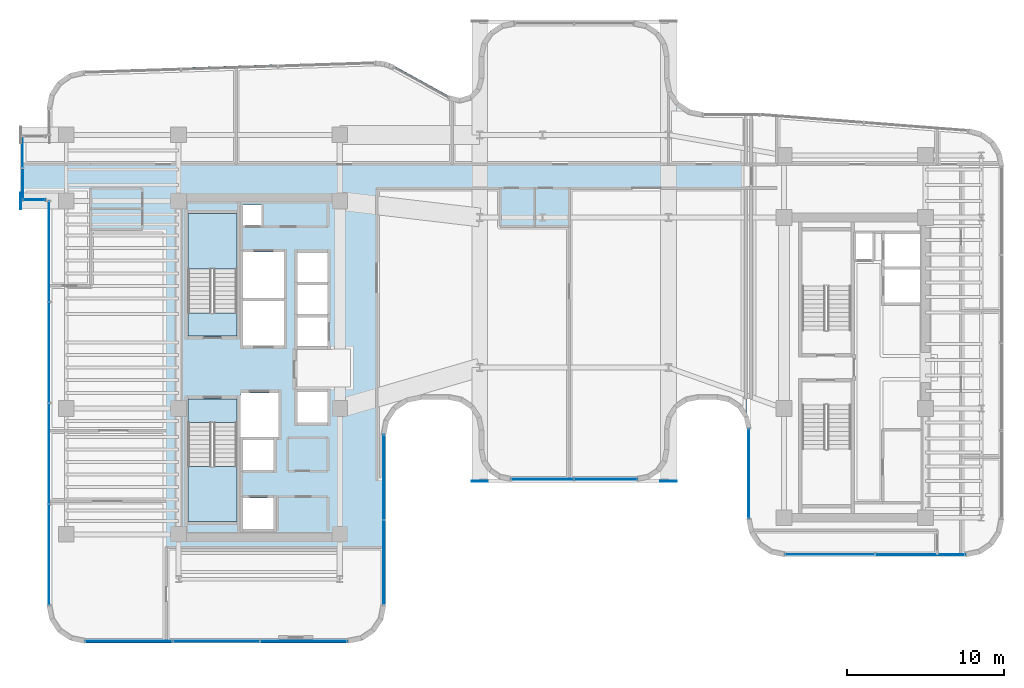
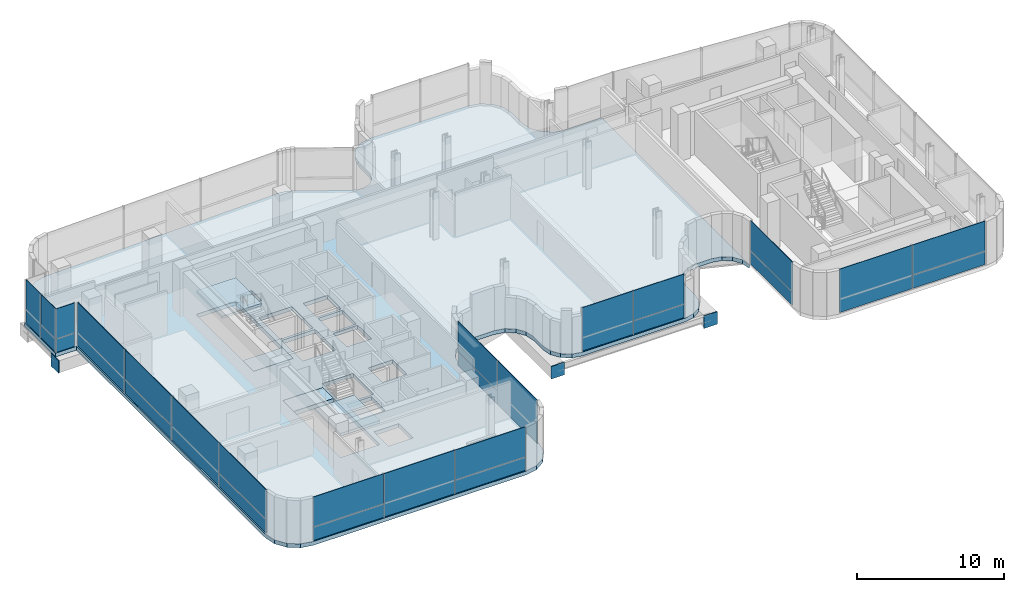
# One storey, part 25 of 37: 30 plates, 5 slabs, 10 elements without a shape of their own.
"""IFC4 building model written with IfcOpenShell, lengths in metres."""

from ifc_helpers import new_model, si_unit, direction, frame, origin, origin_2d, place, context, subcontext, project, spatial, polyline, rectangle, outline, extrude, source, transform, mapped, material, layer, layer_set, type_object, element, aggregate, save


model = new_model("IFC4")

# Units and contexts
model_context = context("Model", 3, precision=1e-05, world=origin(), true_north=direction((0.0, 1.0)))
body_context = subcontext(model_context, "Body", "Model", "MODEL_VIEW")
ifc_project = project(units=[si_unit("LENGTHUNIT", "METRE"), si_unit("AREAUNIT", "SQUARE_METRE"), si_unit("VOLUMEUNIT", "CUBIC_METRE"), si_unit("PLANEANGLEUNIT", "RADIAN"), si_unit("MASSUNIT", "GRAM", prefix="KILO")], contexts=[model_context])

# Site, building, storey
site_placement = place(None, origin())
site = spatial("IfcSite", under=ifc_project, at=site_placement, CompositionType="ELEMENT")
building_placement = place(site_placement, origin())
building = spatial("IfcBuilding", under=site, at=building_placement, Name="Valdorenza Pilgrim Sanctuary Tower", CompositionType="ELEMENT")
storey_placement = place(building_placement, frame((0.0, 0.0, 188.39990234375)))
storey = spatial("IfcBuildingStorey", under=building, at=storey_placement, Name="L48", CompositionType="ELEMENT", Elevation=188.39990234375)

# Slab
ifc_material_1 = material(Name="Concrete C40/50", Category="concrete")
ifc_layer_1 = layer(ifc_material_1, 0.320068359375, Name="Concrete C40/50")
ifc_layer_set_1 = layer_set([ifc_layer_1], Name="Concrete C40/50")
slab_type_1 = type_object("IfcSlabType", Name="SLAB-PRY-320", PredefinedType="FLOOR", material=ifc_layer_set_1)
slab_1_placement = place(storey_placement, frame((0.0, 0.0, -0.31982421875)))
element("IfcSlab", 1, at=slab_1_placement, inside=storey, type_object=slab_type_1, Name="L48 Structural Floor Slab 1", PredefinedType="FLOOR", context=body_context, shape_type="SweptSolid", body=[
    extrude(outline(polyline([(-30.324462890625, 18.14599609375), (-29.572265625, 18.671142578125), (-28.677978515625, 18.87548828125), (-10.157958984375, 19.478515625), (-9.837158203125, 19.467529296875), (-9.520751953125, 19.413818359375), (-9.214111328125, 19.318359375), (-8.923095703125, 19.182861328125), (-5.43115234375, 17.26220703125), (-4.782958984375, 17.10107421875), (-4.139892578125, 17.2822265625), (-3.671142578125, 17.75830078125), (-3.5, 18.404052734375), (-3.5, 19.7958984375), (-3.332275390625, 20.639404296875), (-2.8544921875, 21.3544921875), (-2.139404296875, 21.832275390625), (-1.2958984375, 22.0), (6.2958984375, 22.0), (7.139404296875, 21.832275390625), (7.8544921875, 21.3544921875), (8.332275390625, 20.639404296875), (8.5, 19.7958984375), (8.5, 18.404052734375), (8.667724609375, 17.560546875), (9.1455078125, 16.845458984375), (9.860595703125, 16.367919921875), (10.7041015625, 16.199951171875), (13.5, 16.199951171875), (13.5, -3.89990234375), (13.35546875, -3.1728515625), (12.943603515625, -2.556396484375), (12.3271484375, -2.14453125), (11.60009765625, -2.0), (10.39990234375, -2.0), (9.6728515625, -2.14453125), (9.056396484375, -2.556396484375), (8.64453125, -3.1728515625), (8.5, -3.89990234375), (8.5, -5.22412109375), (8.349609375, -5.980224609375), (7.921142578125, -6.62109375), (7.2802734375, -7.049560546875), (6.52392578125, -7.199951171875), (-1.52392578125, -7.199951171875), (-2.2802734375, -7.049560546875), (-2.921142578125, -6.62109375), (-3.349609375, -5.980224609375), (-3.5, -5.22412109375), (-3.5, -3.97607421875), (-3.650390625, -3.2197265625), (-4.078857421875, -2.578857421875), (-4.7197265625, -2.150390625), (-5.47607421875, -2.0), (-7.219970703125, -2.0), (-8.092529296875, -2.173583984375), (-8.832275390625, -2.667724609375), (-9.326416015625, -3.407470703125), (-9.5, -4.280029296875), (-9.5, -15.10009765625), (-9.6826171875, -16.018310546875), (-10.202880859375, -16.797119140625), (-10.981689453125, -17.3173828125), (-11.89990234375, -17.5), (-28.60009765625, -17.5), (-29.518310546875, -17.3173828125), (-30.297119140625, -16.797119140625), (-30.8173828125, -16.018310546875), (-31.0, -15.10009765625), (-31.0, 10.60009765625), (-32.64990234375, 10.60009765625), (-32.64990234375, 14.800048828125), (-31.0, 14.800048828125), (-31.0, 16.476806640625), (-30.82470703125, 17.377197265625), (-30.324462890625, 18.14599609375)]), holes=[polyline([(-16.60009765625, -10.25), (-16.60009765625, -8.300048828125), (-18.550048828125, -8.300048828125), (-18.550048828125, -10.25), (-16.60009765625, -10.25)]), polyline([(-22.050048828125, -9.800048828125), (-18.93994140625, -9.800048828125), (-18.93994140625, -3.485107421875), (-18.93994140625, -2.0), (-22.050048828125, -2.0), (-22.050048828125, -3.485107421875), (-22.050048828125, -9.800048828125)]), polyline([(-16.60009765625, -6.5), (-16.60009765625, -4.60009765625), (-18.550048828125, -4.60009765625), (-18.550048828125, -6.5), (-16.60009765625, -6.5)]), polyline([(-18.719970703125, -4.39990234375), (-16.300048828125, -4.39990234375), (-16.300048828125, -1.60009765625), (-18.719970703125, -1.60009765625), (-18.719970703125, -4.39990234375)]), polyline([(-13.179931640625, 1.35009765625), (-13.179931640625, 3.199951171875), (-15.10009765625, 3.199951171875), (-15.10009765625, 1.35009765625), (-13.179931640625, 1.35009765625)]), polyline([(-22.050048828125, 2.0), (-18.93994140625, 2.0), (-18.93994140625, 3.485107421875), (-18.93994140625, 9.800048828125), (-22.050048828125, 9.800048828125), (-22.050048828125, 3.485107421875), (-22.050048828125, 2.0)]), polyline([(-15.949951171875, 1.39990234375), (-15.949951171875, 4.22509765625), (-18.550048828125, 4.22509765625), (-18.550048828125, 1.39990234375), (-15.949951171875, 1.39990234375)]), polyline([(-18.550048828125, 4.425048828125), (-15.949951171875, 4.425048828125), (-15.949951171875, 7.35009765625), (-18.550048828125, 7.35009765625), (-18.550048828125, 4.425048828125)]), polyline([(-17.360107421875, 9.030029296875), (-17.360107421875, 10.35009765625), (-18.570068359375, 10.35009765625), (-18.570068359375, 9.030029296875), (-17.360107421875, 9.030029296875)]), polyline([(-13.179931640625, -3.5), (-13.179931640625, -1.550048828125), (-15.10009765625, -1.550048828125), (-15.10009765625, -3.5), (-13.179931640625, -3.5)]), polyline([(-13.179931640625, 3.39990234375), (-13.179931640625, 5.25), (-15.10009765625, 5.25), (-15.10009765625, 3.39990234375), (-13.179931640625, 3.39990234375)]), polyline([(-13.179931640625, 5.449951171875), (-13.179931640625, 7.300048828125), (-15.10009765625, 7.300048828125), (-15.10009765625, 5.449951171875), (-13.179931640625, 5.449951171875)])]), origin(), (0.0, 0.0, 1.0), 0.31982421875),
])

# Stair, slab
stair_type = type_object("IfcStairType", Name="STR-DOG-CORE", PredefinedType="HALF_TURN_STAIR", material=ifc_material_1)
stair_1_placement = place(storey_placement, origin())
stair_1 = element("IfcStair", 2, at=stair_1_placement, inside=storey, type_object=stair_type, Name="L48 ST-A1", PredefinedType="HALF_TURN_STAIR")
ifc_layer_2 = layer(ifc_material_1, 0.199951171875, Name="Concrete C40/50")
ifc_layer_set_2 = layer_set([ifc_layer_2], Name="Concrete C40/50")
slab_type_2 = type_object("IfcSlabType", Name="SLAB-STL-200", PredefinedType="LANDING", material=ifc_layer_set_2)
slab_2_placement = place(storey_placement, frame((0.0, 0.0, 1.775146484375)))
slab_2 = element("IfcSlab", 3, at=slab_2_placement, type_object=slab_type_2, Name="ST-A1 landing 1", PredefinedType="LANDING", context=body_context, shape_type="SweptSolid", body=[
    extrude(outline(polyline([(-18.93994140625, 6.280029296875), (-18.93994140625, 9.800048828125), (-22.050048828125, 9.800048828125), (-22.050048828125, 6.280029296875), (-18.93994140625, 6.280029296875)])), origin(), (0.0, 0.0, 1.0), 0.199951171875),
])
aggregate(stair_1, [slab_2])

stair_2_placement = place(storey_placement, origin())
stair_2 = element("IfcStair", 4, at=stair_2_placement, inside=storey, type_object=stair_type, Name="L48 ST-A2", PredefinedType="HALF_TURN_STAIR")
slab_3_placement = place(storey_placement, frame((0.0, 0.0, 1.775146484375)))
slab_3 = element("IfcSlab", 5, at=slab_3_placement, type_object=slab_type_2, Name="ST-A2 landing 1", PredefinedType="LANDING", context=body_context, shape_type="SweptSolid", body=[
    extrude(outline(polyline([(-22.050048828125, -6.280029296875), (-22.050048828125, -9.800048828125), (-18.93994140625, -9.800048828125), (-18.93994140625, -6.280029296875), (-22.050048828125, -6.280029296875)])), origin(), (0.0, 0.0, 1.0), 0.199951171875),
])
aggregate(stair_2, [slab_3])

# Slabs
ifc_material_2 = material(Name="Concrete C50/60", Category="concrete")
ifc_layer_3 = layer(ifc_material_2, 0.39990234375, Name="Concrete C50/60")
ifc_layer_set_3 = layer_set([ifc_layer_3], Name="Concrete C50/60")
slab_type_3 = type_object("IfcSlabType", Name="SLAB-TRF-400", PredefinedType="FLOOR", material=ifc_layer_set_3)
slab_4_placement = place(storey_placement, frame((0.0, 0.0, -0.35986328125)))
element("IfcSlab", 6, at=slab_4_placement, inside=storey, type_object=slab_type_3, Name="L48 ST-A1 Structural Stair Landing Bearing Slab", PredefinedType="FLOOR", context=body_context, shape_type="SweptSolid", body=[
    extrude(outline(polyline([(-22.050048828125, 2.0), (-18.93994140625, 2.0), (-18.93994140625, 3.485107421875), (-22.050048828125, 3.485107421875), (-22.050048828125, 2.0)])), origin(), (0.0, 0.0, 1.0), 0.35986328125),
])
slab_5_placement = place(storey_placement, frame((0.0, 0.0, -0.35986328125)))
element("IfcSlab", 7, at=slab_5_placement, inside=storey, type_object=slab_type_3, Name="L48 ST-A2 Structural Stair Landing Bearing Slab", PredefinedType="FLOOR", context=body_context, shape_type="SweptSolid", body=[
    extrude(outline(polyline([(-22.050048828125, -3.485107421875), (-18.93994140625, -3.485107421875), (-18.93994140625, -2.0), (-22.050048828125, -2.0), (-22.050048828125, -3.485107421875)])), origin(), (0.0, 0.0, 1.0), 0.35986328125),
])

# Plates
ifc_material_3 = material(Name="Steel ASTM A572 Grade 42", Category="steel")
ifc_layer_4 = layer(ifc_material_3, 0.06005859375, Name="Steel ASTM A572 Grade 42")
ifc_layer_set_4 = layer_set([ifc_layer_4], Name="Steel ASTM A572 Grade 42")
plate_type_1 = type_object("IfcPlateType", Name="PLT-CAP-60", PredefinedType="SHEET", material=ifc_layer_set_4)
shared_shape_1 = source(origin(), body_context, "Body", "SweptSolid", [
    extrude(rectangle(XDim=0.06005859375, YDim=1.0400390625, at=origin_2d()), origin(), (0.0, 0.0, 1.0), 1.0400390625),
])
plate_1_placement = place(storey_placement, frame((-32.679931640625, 10.60009765625, -1.33984375), z_axis=(0.0, 0.0, 1.0), x_axis=(1.0, 0.0, 0.0)))
element("IfcPlate", 8, at=plate_1_placement, inside=storey, type_object=plate_type_1, Name="L48 BOX-WA-L48 Cantilever Tip End Cap S", PredefinedType="SHEET", context=body_context, shape_type="MappedRepresentation", body=[
    mapped(shared_shape_1, transform((0.0, 0.0, 0.0), x_axis=(1.0, 0.0, 0.0), y_axis=(0.0, 1.0, 0.0), z_axis=(0.0, 0.0, 1.0), scale=1.0)),
])
shared_shape_2 = source(origin(), body_context, "Body", "SweptSolid", [
    extrude(rectangle(XDim=1.0400390625, YDim=0.06005859375, at=origin_2d()), origin(), (0.0, 0.0, 1.0), 1.0400390625),
])
for number, where, z_axis, x_axis, name in (
    (9, (-3.5, -7.22998046875, -1.33984375), (0.0, 0.0, 1.0), (1.0, 0.0, 0.0), "L48 South Prow Cantilever End Cap W"),
    (10, (8.5, -7.22998046875, -1.33984375), (0.0, 0.0, 1.0), (1.0, 0.0, 0.0), "L48 South Prow Cantilever End Cap E"),
):
    element("IfcPlate", number, at=place(storey_placement, frame(where, z_axis=z_axis, x_axis=x_axis)), inside=storey, type_object=plate_type_1, Name=name, PredefinedType="SHEET", context=body_context, shape_type="MappedRepresentation", body=[
        mapped(shared_shape_2, transform((0.0, 0.0, 0.0), x_axis=(1.0, 0.0, 0.0), y_axis=(0.0, 1.0, 0.0), z_axis=(0.0, 0.0, 1.0), scale=1.0)),
    ])

# Curtain wall, plate
ifc_material_4 = material(Name="Curtain-wall IGU glazing", Category="glass")
curtain_wall_type_1 = type_object("IfcCurtainWallType", Name="CW-SYS-05", PredefinedType="NOTDEFINED", material=ifc_material_4)
curtain_wall_1_placement = place(storey_placement, origin())
curtain_wall_1 = element("IfcCurtainWall", 11, at=curtain_wall_1_placement, inside=storey, type_object=curtain_wall_type_1, Name="L48 Curtain Wall CW-L48-1-47", PredefinedType="NOTDEFINED")
ifc_material_5 = material(Name="Honed travertine limestone", Category="masonry")
ifc_layer_5 = layer(ifc_material_5, 0.050048828125, Name="Honed travertine limestone")
ifc_layer_set_5 = layer_set([ifc_layer_5], Name="Honed travertine limestone")
plate_type_2 = type_object("IfcPlateType", Name="CW-SPN-TRV", PredefinedType="USERDEFINED", material=ifc_layer_set_5)
shared_shape_3 = source(origin(), body_context, "Body", "SweptSolid", [
    extrude(rectangle(XDim=5.679931640625, YDim=0.06005859375, at=origin_2d()), origin(), (0.0, 0.0, 1.0), 1.10009765625),
])
plate_2_placement = place(storey_placement, frame((13.610107421875, -6.7392578125, 0.010009765625), z_axis=(0.0, 0.0, 1.0), x_axis=(0.0, 1.0, 0.0)))
plate_2 = element("IfcPlate", 12, at=plate_2_placement, type_object=plate_type_2, Name="CW-L48-1-47 Travertine Spandrel 1", ObjectType="SPANDREL", PredefinedType="USERDEFINED", context=body_context, shape_type="MappedRepresentation", body=[
    mapped(shared_shape_3, transform((0.0, 0.0, 0.0), x_axis=(1.0, 0.0, 0.0), y_axis=(0.0, 1.0, 0.0), z_axis=(0.0, 0.0, 1.0), scale=1.0)),
])

curtain_wall_type_2 = type_object("IfcCurtainWallType", Name="CW-SYS-02", PredefinedType="NOTDEFINED", material=ifc_material_4)
curtain_wall_2_placement = place(storey_placement, origin())
curtain_wall_2 = element("IfcCurtainWall", 13, at=curtain_wall_2_placement, inside=storey, type_object=curtain_wall_type_2, Name="L48 Curtain Wall CW-L48-BOX-WA-L48-S", PredefinedType="NOTDEFINED")
shared_shape_4 = source(origin(), body_context, "Body", "SweptSolid", [
    extrude(rectangle(XDim=1.43994140625, YDim=0.06005859375, at=origin_2d()), origin(), (0.0, 0.0, 1.0), 1.10009765625),
])
plate_3_placement = place(storey_placement, frame((-31.840087890625, 10.679931640625, 0.010009765625), z_axis=(0.0, 0.0, 1.0), x_axis=(-1.0, 0.0, 0.0)))
plate_3 = element("IfcPlate", 14, at=plate_3_placement, type_object=plate_type_2, Name="CW-L48-BOX-WA-L48-S Travertine Spandrel 1", ObjectType="SPANDREL", PredefinedType="USERDEFINED", context=body_context, shape_type="MappedRepresentation", body=[
    mapped(shared_shape_4, transform((0.0, 0.0, 0.0), x_axis=(1.0, 0.0, 0.0), y_axis=(0.0, 1.0, 0.0), z_axis=(0.0, 0.0, 1.0), scale=1.0)),
])

curtain_wall_3_placement = place(storey_placement, origin())
curtain_wall_3 = element("IfcCurtainWall", 15, at=curtain_wall_3_placement, inside=storey, type_object=curtain_wall_type_2, Name="L48 Curtain Wall CW-L48-BOX-WA-L48-F", PredefinedType="NOTDEFINED")
shared_shape_5 = source(origin(), body_context, "Body", "SweptSolid", [
    extrude(rectangle(XDim=2.0, YDim=0.06005859375, at=origin_2d()), origin(), (0.0, 0.0, 1.0), 1.10009765625),
])
plate_4_placement = place(storey_placement, frame((-32.570068359375, 11.68994140625, 0.010009765625), z_axis=(0.0, 0.0, 1.0), x_axis=(0.0, 1.0, 0.0)))
plate_4 = element("IfcPlate", 16, at=plate_4_placement, type_object=plate_type_2, Name="CW-L48-BOX-WA-L48-F Travertine Spandrel 1", ObjectType="SPANDREL", PredefinedType="USERDEFINED", context=body_context, shape_type="MappedRepresentation", body=[
    mapped(shared_shape_5, transform((0.0, 0.0, 0.0), x_axis=(1.0, 0.0, 0.0), y_axis=(0.0, 1.0, 0.0), z_axis=(0.0, 0.0, 1.0), scale=1.0)),
])

curtain_wall_type_3 = type_object("IfcCurtainWallType", Name="CW-SYS-03", PredefinedType="NOTDEFINED", material=ifc_material_4)
curtain_wall_4_placement = place(storey_placement, origin())
curtain_wall_4 = element("IfcCurtainWall", 17, at=curtain_wall_4_placement, inside=storey, type_object=curtain_wall_type_3, Name="L48 Curtain Wall CW-L48-1-42", PredefinedType="NOTDEFINED")
shared_shape_6 = source(origin(), body_context, "Body", "SweptSolid", [
    extrude(rectangle(XDim=5.71923828125, YDim=0.06005859375, at=origin_2d()), origin(), (0.0, 0.0, 1.0), 1.10009765625),
])
plate_5_placement = place(storey_placement, frame((24.51953125, -11.889892578125, 0.010009765625), z_axis=(0.0, 0.0, 1.0), x_axis=(-1.0, 0.0, 0.0)))
plate_5 = element("IfcPlate", 18, at=plate_5_placement, type_object=plate_type_2, Name="CW-L48-1-42 Travertine Spandrel 1", ObjectType="SPANDREL", PredefinedType="USERDEFINED", context=body_context, shape_type="MappedRepresentation", body=[
    mapped(shared_shape_6, transform((0.0, 0.0, 0.0), x_axis=(1.0, 0.0, 0.0), y_axis=(0.0, 1.0, 0.0), z_axis=(0.0, 0.0, 1.0), scale=1.0)),
])

curtain_wall_5_placement = place(storey_placement, origin())
curtain_wall_5 = element("IfcCurtainWall", 19, at=curtain_wall_5_placement, inside=storey, type_object=curtain_wall_type_1, Name="L48 Curtain Wall CW-L48-1-62", PredefinedType="NOTDEFINED")
shared_shape_7 = source(origin(), body_context, "Body", "SweptSolid", [
    extrude(rectangle(XDim=3.9931640625, YDim=0.06005859375, at=origin_2d()), origin(), (0.0, 0.0, 1.0), 1.10009765625),
])
plate_6_placement = place(storey_placement, frame((4.506591796875, -7.090087890625, 0.010009765625), z_axis=(0.0, 0.0, 1.0), x_axis=(-1.0, 0.0, 0.0)))
plate_6 = element("IfcPlate", 20, at=plate_6_placement, type_object=plate_type_2, Name="CW-L48-1-62 Travertine Spandrel 1", ObjectType="SPANDREL", PredefinedType="USERDEFINED", context=body_context, shape_type="MappedRepresentation", body=[
    mapped(shared_shape_7, transform((0.0, 0.0, 0.0), x_axis=(1.0, 0.0, 0.0), y_axis=(0.0, 1.0, 0.0), z_axis=(0.0, 0.0, 1.0), scale=1.0)),
])

curtain_wall_6_placement = place(storey_placement, origin())
curtain_wall_6 = element("IfcCurtainWall", 21, at=curtain_wall_6_placement, inside=storey, type_object=curtain_wall_type_1, Name="L48 Curtain Wall CW-L48-1-77", PredefinedType="NOTDEFINED")
shared_shape_8 = source(origin(), body_context, "Body", "SweptSolid", [
    extrude(rectangle(XDim=5.389892578125, YDim=0.06005859375, at=origin_2d()), origin(), (0.0, 0.0, 1.0), 1.10009765625),
])
plate_7_placement = place(storey_placement, frame((-9.610107421875, -6.97412109375, 0.010009765625), z_axis=(0.0, 0.0, 1.0), x_axis=(0.0, -1.0, 0.0)))
plate_7 = element("IfcPlate", 22, at=plate_7_placement, type_object=plate_type_2, Name="CW-L48-1-77 Travertine Spandrel 1", ObjectType="SPANDREL", PredefinedType="USERDEFINED", context=body_context, shape_type="MappedRepresentation", body=[
    mapped(shared_shape_8, transform((0.0, 0.0, 0.0), x_axis=(1.0, 0.0, 0.0), y_axis=(0.0, 1.0, 0.0), z_axis=(0.0, 0.0, 1.0), scale=1.0)),
])

# Curtain wall, plates
curtain_wall_7_placement = place(storey_placement, origin())
curtain_wall_7 = element("IfcCurtainWall", 23, at=curtain_wall_7_placement, inside=storey, type_object=curtain_wall_type_2, Name="L48 Curtain Wall CW-L48-1-82", PredefinedType="NOTDEFINED")
shared_shape_9 = source(origin(), body_context, "Body", "SweptSolid", [
    extrude(rectangle(XDim=5.53955078125, YDim=0.06005859375, at=origin_2d()), origin(), (0.0, 0.0, 1.0), 1.10009765625),
])
plate_8_placement = place(storey_placement, frame((-14.6904296875, -17.389892578125, 0.010009765625), z_axis=(0.0, 0.0, 1.0), x_axis=(-1.0, 0.0, 0.0)))
plate_8 = element("IfcPlate", 24, at=plate_8_placement, type_object=plate_type_2, Name="CW-L48-1-82 Travertine Spandrel 1", ObjectType="SPANDREL", PredefinedType="USERDEFINED", context=body_context, shape_type="MappedRepresentation", body=[
    mapped(shared_shape_9, transform((0.0, 0.0, 0.0), x_axis=(1.0, 0.0, 0.0), y_axis=(0.0, 1.0, 0.0), z_axis=(0.0, 0.0, 1.0), scale=1.0)),
])
plate_9_placement = place(storey_placement, frame((-25.8095703125, -17.389892578125, 0.010009765625), z_axis=(0.0, 0.0, 1.0), x_axis=(-1.0, 0.0, 0.0)))
plate_9 = element("IfcPlate", 25, at=plate_9_placement, type_object=plate_type_2, Name="CW-L48-1-82 Travertine Spandrel 3", ObjectType="SPANDREL", PredefinedType="USERDEFINED", context=body_context, shape_type="MappedRepresentation", body=[
    mapped(shared_shape_9, transform((0.0, 0.0, 0.0), x_axis=(1.0, 0.0, 0.0), y_axis=(0.0, 1.0, 0.0), z_axis=(0.0, 0.0, 1.0), scale=1.0)),
])

# Plate
ifc_material_6 = material(Name="Ceramic-fritted low-E IGU glazing", Category="glass")
ifc_layer_6 = layer(ifc_material_6, 0.035888671875, Name="Ceramic-fritted low-E IGU glazing")
ifc_layer_set_6 = layer_set([ifc_layer_6], Name="Ceramic-fritted low-E IGU glazing")
plate_type_3 = type_object("IfcPlateType", Name="CW-GLZ-IGU", PredefinedType="USERDEFINED", material=ifc_layer_set_6)
shared_shape_10 = source(origin(), body_context, "Body", "SweptSolid", [
    extrude(rectangle(XDim=5.71923828125, YDim=0.050048828125, at=origin_2d()), origin(), (0.0, 0.0, 1.0), 2.489990234375),
])
plate_10_placement = place(storey_placement, frame((24.51953125, -11.889892578125, 1.1298828125), z_axis=(0.0, 0.0, 1.0), x_axis=(-1.0, 0.0, 0.0)))
plate_10 = element("IfcPlate", 26, at=plate_10_placement, type_object=plate_type_3, Name="CW-L48-1-42 Facade Panel 1", ObjectType="GLAZING", PredefinedType="USERDEFINED", context=body_context, shape_type="MappedRepresentation", body=[
    mapped(shared_shape_10, transform((0.0, 0.0, 0.0), x_axis=(1.0, 0.0, 0.0), y_axis=(0.0, 1.0, 0.0), z_axis=(0.0, 0.0, 1.0), scale=1.0)),
])

shared_shape_11 = source(origin(), body_context, "Body", "SweptSolid", [
    extrude(rectangle(XDim=5.71923828125, YDim=0.050048828125, at=origin_2d()), origin(), (0.0, 0.0, 1.0), 3.610107421875),
])
plate_11_placement = place(storey_placement, frame((18.780517578125, -11.889892578125, 0.01025390625), z_axis=(0.0, 0.0, 1.0), x_axis=(-1.0, 0.0, 0.0)))
plate_11 = element("IfcPlate", 27, at=plate_11_placement, type_object=plate_type_3, Name="CW-L48-1-42 Full-Height Facade Panel 2", ObjectType="GLAZING", PredefinedType="USERDEFINED", context=body_context, shape_type="MappedRepresentation", body=[
    mapped(shared_shape_11, transform((0.0, 0.0, 0.0), x_axis=(1.0, 0.0, 0.0), y_axis=(0.0, 1.0, 0.0), z_axis=(0.0, 0.0, 1.0), scale=1.0)),
])

aggregate(curtain_wall_4, [plate_5, plate_10, plate_11])

shared_shape_12 = source(origin(), body_context, "Body", "SweptSolid", [
    extrude(rectangle(XDim=5.679931640625, YDim=0.050048828125, at=origin_2d()), origin(), (0.0, 0.0, 1.0), 2.489990234375),
])
plate_12_placement = place(storey_placement, frame((13.610107421875, -6.7392578125, 1.1298828125), z_axis=(0.0, 0.0, 1.0), x_axis=(0.0, 1.0, 0.0)))
plate_12 = element("IfcPlate", 28, at=plate_12_placement, type_object=plate_type_3, Name="CW-L48-1-47 Facade Panel 1", ObjectType="GLAZING", PredefinedType="USERDEFINED", context=body_context, shape_type="MappedRepresentation", body=[
    mapped(shared_shape_12, transform((0.0, 0.0, 0.0), x_axis=(1.0, 0.0, 0.0), y_axis=(0.0, 1.0, 0.0), z_axis=(0.0, 0.0, 1.0), scale=1.0)),
])

aggregate(curtain_wall_1, [plate_2, plate_12])

shared_shape_13 = source(origin(), body_context, "Body", "SweptSolid", [
    extrude(rectangle(XDim=3.9931640625, YDim=0.050048828125, at=origin_2d()), origin(), (0.0, 0.0, 1.0), 2.489990234375),
])
plate_13_placement = place(storey_placement, frame((4.506591796875, -7.090087890625, 1.1298828125), z_axis=(0.0, 0.0, 1.0), x_axis=(-1.0, 0.0, 0.0)))
plate_13 = element("IfcPlate", 29, at=plate_13_placement, type_object=plate_type_3, Name="CW-L48-1-62 Facade Panel 1", ObjectType="GLAZING", PredefinedType="USERDEFINED", context=body_context, shape_type="MappedRepresentation", body=[
    mapped(shared_shape_13, transform((0.0, 0.0, 0.0), x_axis=(1.0, 0.0, 0.0), y_axis=(0.0, 1.0, 0.0), z_axis=(0.0, 0.0, 1.0), scale=1.0)),
])

shared_shape_14 = source(origin(), body_context, "Body", "SweptSolid", [
    extrude(rectangle(XDim=3.9931640625, YDim=0.050048828125, at=origin_2d()), origin(), (0.0, 0.0, 1.0), 3.610107421875),
])
plate_14_placement = place(storey_placement, frame((0.493408203125, -7.090087890625, 0.01025390625), z_axis=(0.0, 0.0, 1.0), x_axis=(-1.0, 0.0, 0.0)))
plate_14 = element("IfcPlate", 30, at=plate_14_placement, type_object=plate_type_3, Name="CW-L48-1-62 Full-Height Facade Panel 2", ObjectType="GLAZING", PredefinedType="USERDEFINED", context=body_context, shape_type="MappedRepresentation", body=[
    mapped(shared_shape_14, transform((0.0, 0.0, 0.0), x_axis=(1.0, 0.0, 0.0), y_axis=(0.0, 1.0, 0.0), z_axis=(0.0, 0.0, 1.0), scale=1.0)),
])

aggregate(curtain_wall_5, [plate_6, plate_13, plate_14])

shared_shape_15 = source(origin(), body_context, "Body", "SweptSolid", [
    extrude(rectangle(XDim=5.389892578125, YDim=0.050048828125, at=origin_2d()), origin(), (0.0, 0.0, 1.0), 2.489990234375),
])
plate_15_placement = place(storey_placement, frame((-9.610107421875, -6.97412109375, 1.1298828125), z_axis=(0.0, 0.0, 1.0), x_axis=(0.0, -1.0, 0.0)))
plate_15 = element("IfcPlate", 31, at=plate_15_placement, type_object=plate_type_3, Name="CW-L48-1-77 Facade Panel 1", ObjectType="GLAZING", PredefinedType="USERDEFINED", context=body_context, shape_type="MappedRepresentation", body=[
    mapped(shared_shape_15, transform((0.0, 0.0, 0.0), x_axis=(1.0, 0.0, 0.0), y_axis=(0.0, 1.0, 0.0), z_axis=(0.0, 0.0, 1.0), scale=1.0)),
])

shared_shape_16 = source(origin(), body_context, "Body", "SweptSolid", [
    extrude(rectangle(XDim=5.389892578125, YDim=0.050048828125, at=origin_2d()), origin(), (0.0, 0.0, 1.0), 3.610107421875),
])
plate_16_placement = place(storey_placement, frame((-9.610107421875, -12.38427734375, 0.01025390625), z_axis=(0.0, 0.0, 1.0), x_axis=(0.0, -1.0, 0.0)))
plate_16 = element("IfcPlate", 32, at=plate_16_placement, type_object=plate_type_3, Name="CW-L48-1-77 Full-Height Facade Panel 2", ObjectType="GLAZING", PredefinedType="USERDEFINED", context=body_context, shape_type="MappedRepresentation", body=[
    mapped(shared_shape_16, transform((0.0, 0.0, 0.0), x_axis=(1.0, 0.0, 0.0), y_axis=(0.0, 1.0, 0.0), z_axis=(0.0, 0.0, 1.0), scale=1.0)),
])

aggregate(curtain_wall_6, [plate_7, plate_15, plate_16])

shared_shape_17 = source(origin(), body_context, "Body", "SweptSolid", [
    extrude(rectangle(XDim=5.53955078125, YDim=0.050048828125, at=origin_2d()), origin(), (0.0, 0.0, 1.0), 2.489990234375),
])
plate_17_placement = place(storey_placement, frame((-14.6904296875, -17.389892578125, 1.1298828125), z_axis=(0.0, 0.0, 1.0), x_axis=(-1.0, 0.0, 0.0)))
plate_17 = element("IfcPlate", 33, at=plate_17_placement, type_object=plate_type_3, Name="CW-L48-1-82 Facade Panel 1", ObjectType="GLAZING", PredefinedType="USERDEFINED", context=body_context, shape_type="MappedRepresentation", body=[
    mapped(shared_shape_17, transform((0.0, 0.0, 0.0), x_axis=(1.0, 0.0, 0.0), y_axis=(0.0, 1.0, 0.0), z_axis=(0.0, 0.0, 1.0), scale=1.0)),
])

plate_18_placement = place(storey_placement, frame((-25.8095703125, -17.389892578125, 1.1298828125), z_axis=(0.0, 0.0, 1.0), x_axis=(-1.0, 0.0, 0.0)))
plate_18 = element("IfcPlate", 34, at=plate_18_placement, type_object=plate_type_3, Name="CW-L48-1-82 Facade Panel 3", ObjectType="GLAZING", PredefinedType="USERDEFINED", context=body_context, shape_type="MappedRepresentation", body=[
    mapped(shared_shape_17, transform((0.0, 0.0, 0.0), x_axis=(1.0, 0.0, 0.0), y_axis=(0.0, 1.0, 0.0), z_axis=(0.0, 0.0, 1.0), scale=1.0)),
])

shared_shape_18 = source(origin(), body_context, "Body", "SweptSolid", [
    extrude(rectangle(XDim=5.53955078125, YDim=0.050048828125, at=origin_2d()), origin(), (0.0, 0.0, 1.0), 3.610107421875),
])
plate_19_placement = place(storey_placement, frame((-20.25, -17.389892578125, 0.01025390625), z_axis=(0.0, 0.0, 1.0), x_axis=(-1.0, 0.0, 0.0)))
plate_19 = element("IfcPlate", 35, at=plate_19_placement, type_object=plate_type_3, Name="CW-L48-1-82 Full-Height Facade Panel 2", ObjectType="GLAZING", PredefinedType="USERDEFINED", context=body_context, shape_type="MappedRepresentation", body=[
    mapped(shared_shape_18, transform((0.0, 0.0, 0.0), x_axis=(1.0, 0.0, 0.0), y_axis=(0.0, 1.0, 0.0), z_axis=(0.0, 0.0, 1.0), scale=1.0)),
])

aggregate(curtain_wall_7, [plate_8, plate_17, plate_19, plate_9, plate_18])

shared_shape_19 = source(origin(), body_context, "Body", "SweptSolid", [
    extrude(rectangle(XDim=1.43994140625, YDim=0.050048828125, at=origin_2d()), origin(), (0.0, 0.0, 1.0), 2.489990234375),
])
plate_20_placement = place(storey_placement, frame((-31.840087890625, 10.679931640625, 1.1298828125), z_axis=(0.0, 0.0, 1.0), x_axis=(-1.0, 0.0, 0.0)))
plate_20 = element("IfcPlate", 36, at=plate_20_placement, type_object=plate_type_3, Name="CW-L48-BOX-WA-L48-S Facade Panel 1", ObjectType="GLAZING", PredefinedType="USERDEFINED", context=body_context, shape_type="MappedRepresentation", body=[
    mapped(shared_shape_19, transform((0.0, 0.0, 0.0), x_axis=(1.0, 0.0, 0.0), y_axis=(0.0, 1.0, 0.0), z_axis=(0.0, 0.0, 1.0), scale=1.0)),
])

aggregate(curtain_wall_2, [plate_3, plate_20])

# Curtain wall, plates
curtain_wall_8_placement = place(storey_placement, origin())
curtain_wall_8 = element("IfcCurtainWall", 37, at=curtain_wall_8_placement, inside=storey, type_object=curtain_wall_type_2, Name="L48 Curtain Wall CW-L48-1-1S1", PredefinedType="NOTDEFINED")
shared_shape_20 = source(origin(), body_context, "Body", "SweptSolid", [
    extrude(rectangle(XDim=6.40234375, YDim=0.06005859375, at=origin_2d()), origin(), (0.0, 0.0, 1.0), 1.10009765625),
])
plate_21_placement = place(storey_placement, frame((-30.889892578125, -11.8779296875, 0.010009765625), z_axis=(0.0, 0.0, 1.0), x_axis=(0.0, 1.0, 0.0)))
plate_21 = element("IfcPlate", 38, at=plate_21_placement, type_object=plate_type_2, Name="CW-L48-1-1S1 Travertine Spandrel 1", ObjectType="SPANDREL", PredefinedType="USERDEFINED", context=body_context, shape_type="MappedRepresentation", body=[
    mapped(shared_shape_20, transform((0.0, 0.0, 0.0), x_axis=(1.0, 0.0, 0.0), y_axis=(0.0, 1.0, 0.0), z_axis=(0.0, 0.0, 1.0), scale=1.0)),
])
plate_22_placement = place(storey_placement, frame((-30.889892578125, 0.966552734375, 0.010009765625), z_axis=(0.0, 0.0, 1.0), x_axis=(0.0, 1.0, 0.0)))
plate_22 = element("IfcPlate", 39, at=plate_22_placement, type_object=plate_type_2, Name="CW-L48-1-1S1 Travertine Spandrel 3", ObjectType="SPANDREL", PredefinedType="USERDEFINED", context=body_context, shape_type="MappedRepresentation", body=[
    mapped(shared_shape_20, transform((0.0, 0.0, 0.0), x_axis=(1.0, 0.0, 0.0), y_axis=(0.0, 1.0, 0.0), z_axis=(0.0, 0.0, 1.0), scale=1.0)),
])
shared_shape_21 = source(origin(), body_context, "Body", "SweptSolid", [
    extrude(rectangle(XDim=6.40234375, YDim=0.050048828125, at=origin_2d()), origin(), (0.0, 0.0, 1.0), 2.489990234375),
])
plate_23_placement = place(storey_placement, frame((-30.889892578125, -11.8779296875, 1.1298828125), z_axis=(0.0, 0.0, 1.0), x_axis=(0.0, 1.0, 0.0)))
plate_23 = element("IfcPlate", 40, at=plate_23_placement, type_object=plate_type_3, Name="CW-L48-1-1S1 Facade Panel 1", ObjectType="GLAZING", PredefinedType="USERDEFINED", context=body_context, shape_type="MappedRepresentation", body=[
    mapped(shared_shape_21, transform((0.0, 0.0, 0.0), x_axis=(1.0, 0.0, 0.0), y_axis=(0.0, 1.0, 0.0), z_axis=(0.0, 0.0, 1.0), scale=1.0)),
])
plate_24_placement = place(storey_placement, frame((-30.889892578125, 0.966552734375, 1.1298828125), z_axis=(0.0, 0.0, 1.0), x_axis=(0.0, 1.0, 0.0)))
plate_24 = element("IfcPlate", 41, at=plate_24_placement, type_object=plate_type_3, Name="CW-L48-1-1S1 Facade Panel 3", ObjectType="GLAZING", PredefinedType="USERDEFINED", context=body_context, shape_type="MappedRepresentation", body=[
    mapped(shared_shape_21, transform((0.0, 0.0, 0.0), x_axis=(1.0, 0.0, 0.0), y_axis=(0.0, 1.0, 0.0), z_axis=(0.0, 0.0, 1.0), scale=1.0)),
])
shared_shape_22 = source(origin(), body_context, "Body", "SweptSolid", [
    extrude(rectangle(XDim=6.40234375, YDim=0.050048828125, at=origin_2d()), origin(), (0.0, 0.0, 1.0), 3.610107421875),
])
plate_25_placement = place(storey_placement, frame((-30.889892578125, -5.455810546875, 0.01025390625), z_axis=(0.0, 0.0, 1.0), x_axis=(0.0, 1.0, 0.0)))
plate_25 = element("IfcPlate", 42, at=plate_25_placement, type_object=plate_type_3, Name="CW-L48-1-1S1 Full-Height Facade Panel 2", ObjectType="GLAZING", PredefinedType="USERDEFINED", context=body_context, shape_type="MappedRepresentation", body=[
    mapped(shared_shape_22, transform((0.0, 0.0, 0.0), x_axis=(1.0, 0.0, 0.0), y_axis=(0.0, 1.0, 0.0), z_axis=(0.0, 0.0, 1.0), scale=1.0)),
])
plate_26_placement = place(storey_placement, frame((-30.889892578125, 7.388916015625, 0.01025390625), z_axis=(0.0, 0.0, 1.0), x_axis=(0.0, 1.0, 0.0)))
plate_26 = element("IfcPlate", 43, at=plate_26_placement, type_object=plate_type_3, Name="CW-L48-1-1S1 Full-Height Facade Panel 4", ObjectType="GLAZING", PredefinedType="USERDEFINED", context=body_context, shape_type="MappedRepresentation", body=[
    mapped(shared_shape_22, transform((0.0, 0.0, 0.0), x_axis=(1.0, 0.0, 0.0), y_axis=(0.0, 1.0, 0.0), z_axis=(0.0, 0.0, 1.0), scale=1.0)),
])
aggregate(curtain_wall_8, [plate_21, plate_23, plate_25, plate_22, plate_24, plate_26])

# Plate
shared_shape_23 = source(origin(), body_context, "Body", "SweptSolid", [
    extrude(rectangle(XDim=2.0, YDim=0.050048828125, at=origin_2d()), origin(), (0.0, 0.0, 1.0), 2.489990234375),
])
plate_27_placement = place(storey_placement, frame((-32.570068359375, 11.68994140625, 1.1298828125), z_axis=(0.0, 0.0, 1.0), x_axis=(0.0, 1.0, 0.0)))
plate_27 = element("IfcPlate", 44, at=plate_27_placement, type_object=plate_type_3, Name="CW-L48-BOX-WA-L48-F Facade Panel 1", ObjectType="GLAZING", PredefinedType="USERDEFINED", context=body_context, shape_type="MappedRepresentation", body=[
    mapped(shared_shape_23, transform((0.0, 0.0, 0.0), x_axis=(1.0, 0.0, 0.0), y_axis=(0.0, 1.0, 0.0), z_axis=(0.0, 0.0, 1.0), scale=1.0)),
])

shared_shape_24 = source(origin(), body_context, "Body", "SweptSolid", [
    extrude(rectangle(XDim=2.0, YDim=0.050048828125, at=origin_2d()), origin(), (0.0, 0.0, 1.0), 3.610107421875),
])
plate_28_placement = place(storey_placement, frame((-32.570068359375, 13.7099609375, 0.01025390625), z_axis=(0.0, 0.0, 1.0), x_axis=(0.0, 1.0, 0.0)))
plate_28 = element("IfcPlate", 45, at=plate_28_placement, type_object=plate_type_3, Name="CW-L48-BOX-WA-L48-F Full-Height Facade Panel 2", ObjectType="GLAZING", PredefinedType="USERDEFINED", context=body_context, shape_type="MappedRepresentation", body=[
    mapped(shared_shape_24, transform((0.0, 0.0, 0.0), x_axis=(1.0, 0.0, 0.0), y_axis=(0.0, 1.0, 0.0), z_axis=(0.0, 0.0, 1.0), scale=1.0)),
])

aggregate(curtain_wall_3, [plate_4, plate_27, plate_28])

save(model, "model.ifc")
